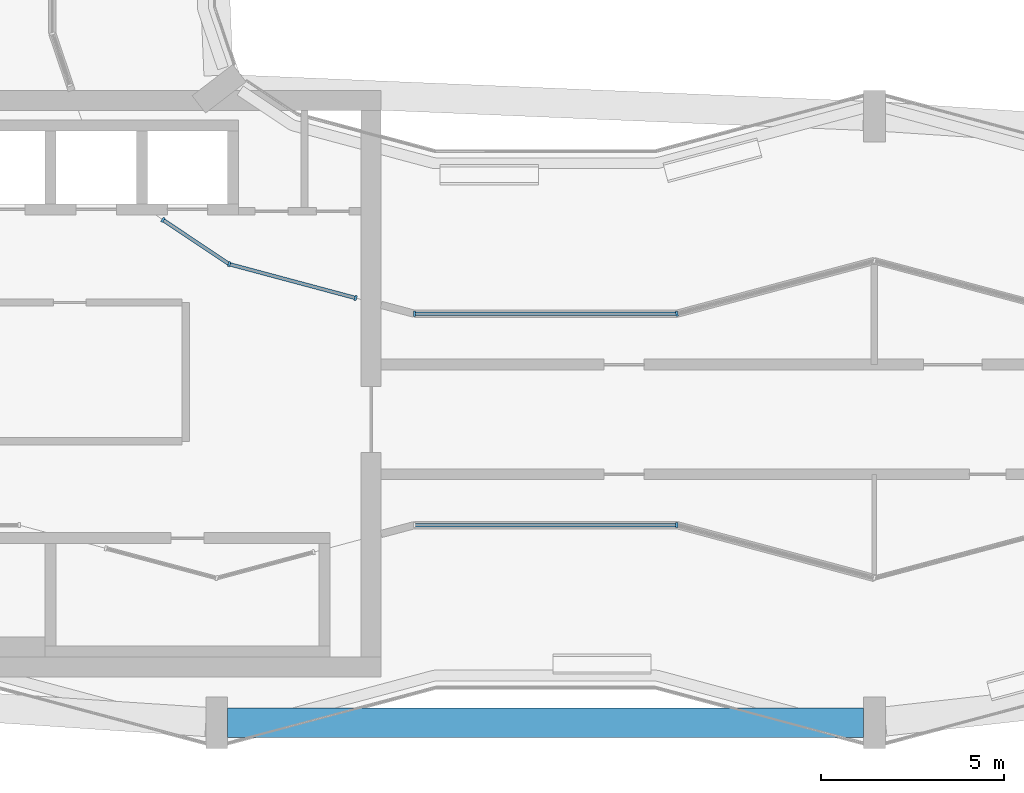
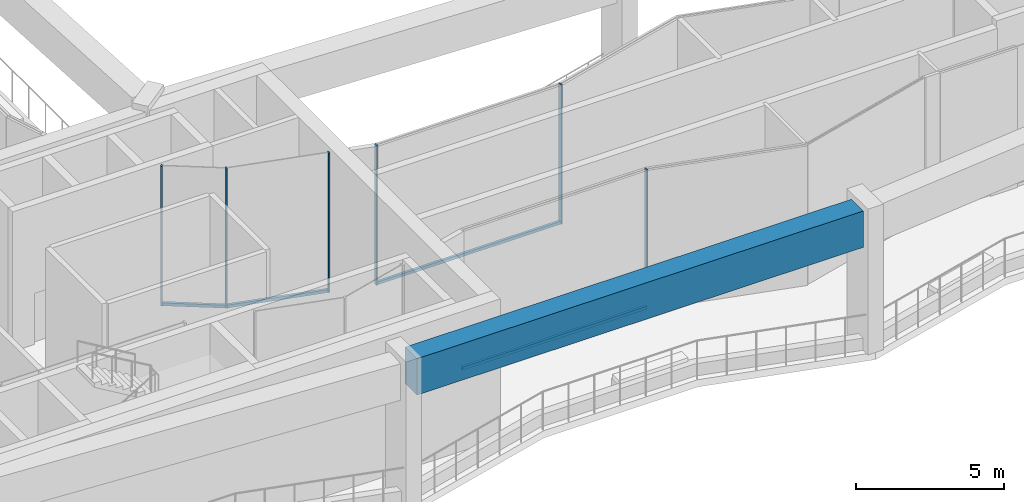
# One storey, part 3 of 17: 10 members, 1 beam, 5 elements without a shape of their own.
"""IFC4 building model written with IfcOpenShell, lengths in metres."""

from ifc_helpers import new_model, si_unit, direction, frame, origin, origin_2d, place, context, subcontext, project, spatial, rectangle, extrude, material, layer, layer_set, material_profile, profile_set, type_object, element, aggregate, save


model = new_model("IFC4")

# Units and contexts
model_context = context("Model", 3, precision=1e-05, world=origin(), true_north=direction((0.0, 1.0)))
body_context = subcontext(model_context, "Body", "Model", "MODEL_VIEW")
ifc_project = project(units=[si_unit("LENGTHUNIT", "METRE"), si_unit("AREAUNIT", "SQUARE_METRE"), si_unit("VOLUMEUNIT", "CUBIC_METRE"), si_unit("PLANEANGLEUNIT", "RADIAN"), si_unit("MASSUNIT", "GRAM", prefix="KILO")], contexts=[model_context])

# Site, building, storey
site_placement = place(None, origin())
site = spatial("IfcSite", under=ifc_project, at=site_placement, CompositionType="ELEMENT")
building_placement = place(site_placement, origin())
building = spatial("IfcBuilding", under=site, at=building_placement, Name="Plateau Cross Towers", CompositionType="ELEMENT")
storey_placement = place(building_placement, frame((0.0, 0.0, 184.89990234375)))
storey = spatial("IfcBuildingStorey", under=building, at=storey_placement, Name="L48", CompositionType="ELEMENT", Elevation=184.89990234375)

# Beam
ifc_material_1 = material(Name="Concrete C60/75", Category="concrete")
ifc_material_profile_1 = material_profile(ifc_material_1, rectangle(XDim=0.800048828125, YDim=1.5, at=origin_2d()), Name="RC 800x1500")
ifc_profile_set_1 = profile_set([ifc_material_profile_1], Name="Concrete C60/75")
beam_type = type_object("IfcBeamType", Name="Belt beam RC 800x1500", PredefinedType="BEAM", material=ifc_profile_set_1)
beam_placement = place(storey_placement, frame((18.300048828125, 0.699951171875, 5.0), z_axis=(1.0, 0.0, 0.0), x_axis=(0.0, 1.0, 0.0)))
element("IfcBeam", 1, at=beam_placement, inside=storey, type_object=beam_type, Name="BELT-L48-01", PredefinedType="BEAM", context=body_context, shape_type="SweptSolid", body=[
    extrude(rectangle(XDim=0.800048828125, YDim=1.5, at=origin_2d()), origin(), (0.0, 0.0, 1.0), 17.39990234375),
])

# Curtain wall, member
ifc_material_2 = material(Name="Dark low-iron glass", Category="glass")
ifc_layer = layer(ifc_material_2, 0.239990234375)
ifc_layer_set = layer_set([ifc_layer], Name="Dark low-iron glass")
curtain_wall_type = type_object("IfcCurtainWallType", Name="Curtain wall flush unitised CW-B", PredefinedType="NOTDEFINED", material=ifc_layer_set)
curtain_wall_1_placement = place(storey_placement, origin())
curtain_wall_1 = element("IfcCurtainWall", 2, at=curtain_wall_1_placement, inside=storey, type_object=curtain_wall_type, Name="ENV/A/L48/inner0_165_145", PredefinedType="NOTDEFINED")
ifc_material_3 = material(Name="Black anodised aluminium", Category="aluminium")
ifc_material_profile_2 = material_profile(ifc_material_3, rectangle(XDim=0.06005859375, YDim=0.139892578125, at=origin_2d()), Name="MULLION 60x140")
ifc_profile_set_2 = profile_set([ifc_material_profile_2], Name="Black anodised aluminium")
member_type_1 = type_object("IfcMemberType", Name="Mullion 60x140 flush unitised", PredefinedType="MULLION", material=ifc_profile_set_2)
member_1_placement = place(storey_placement, frame((16.525390625, 14.46337890625, 0.0), z_axis=(0.0, 0.0, 1.0), x_axis=(0.831521253329, -0.555492938984, 0.0)))
member_1 = element("IfcMember", 3, at=member_1_placement, type_object=member_type_1, Name="CW-B mullion 1", PredefinedType="MULLION", context=body_context, shape_type="SweptSolid", body=[
    extrude(rectangle(XDim=0.06005859375, YDim=0.139892578125, at=origin_2d()), origin(), (0.0, 0.0, 1.0), 5.75),
])

# Curtain wall, members
curtain_wall_2_placement = place(storey_placement, origin())
curtain_wall_2 = element("IfcCurtainWall", 4, at=curtain_wall_2_placement, inside=storey, type_object=curtain_wall_type, Name="ENV/A/L48/inner0_183_132", PredefinedType="NOTDEFINED")
member_2_placement = place(storey_placement, frame((18.342041015625, 13.249755859375, 0.0), z_axis=(0.0, 0.0, 1.0), x_axis=(0.965957995816, -0.258698956933, 0.0)))
member_2 = element("IfcMember", 5, at=member_2_placement, type_object=member_type_1, Name="CW-B mullion 1", PredefinedType="MULLION", context=body_context, shape_type="SweptSolid", body=[
    extrude(rectangle(XDim=0.06005859375, YDim=0.139892578125, at=origin_2d()), origin(), (0.0, 0.0, 1.0), 5.75),
])
member_3_placement = place(storey_placement, frame((21.801025390625, 12.323486328125, 0.0), z_axis=(0.0, 0.0, 1.0), x_axis=(0.965957995816, -0.258698956933, 0.0)))
member_3 = element("IfcMember", 6, at=member_3_placement, type_object=member_type_1, Name="CW-B mullion 2", PredefinedType="MULLION", context=body_context, shape_type="SweptSolid", body=[
    extrude(rectangle(XDim=0.06005859375, YDim=0.139892578125, at=origin_2d()), origin(), (0.0, 0.0, 1.0), 5.75),
])

# Curtain wall, member
curtain_wall_3_placement = place(storey_placement, origin())
curtain_wall_3 = element("IfcCurtainWall", 7, at=curtain_wall_3_placement, inside=storey, type_object=curtain_wall_type, Name="ENV/A/L48/inner0_234_119", PredefinedType="NOTDEFINED")
member_4_placement = place(storey_placement, frame((23.407958984375, 11.89306640625, 0.0), z_axis=(0.0, 0.0, 1.0), x_axis=(1.0, 0.0, 0.0)))
member_4 = element("IfcMember", 8, at=member_4_placement, type_object=member_type_1, Name="CW-B mullion 1", PredefinedType="MULLION", context=body_context, shape_type="SweptSolid", body=[
    extrude(rectangle(XDim=0.06005859375, YDim=0.139892578125, at=origin_2d()), origin(), (0.0, 0.0, 1.0), 5.75),
])

curtain_wall_4_placement = place(storey_placement, origin())
curtain_wall_4 = element("IfcCurtainWall", 9, at=curtain_wall_4_placement, inside=storey, type_object=curtain_wall_type, Name="ENV/A/L48/inner0_306_119", PredefinedType="NOTDEFINED")
member_5_placement = place(storey_placement, frame((30.592041015625, 11.89306640625, 0.0), z_axis=(0.0, 0.0, 1.0), x_axis=(0.965957983404, 0.258699003279, 0.0)))
member_5 = element("IfcMember", 10, at=member_5_placement, type_object=member_type_1, Name="CW-B mullion 1", PredefinedType="MULLION", context=body_context, shape_type="SweptSolid", body=[
    extrude(rectangle(XDim=0.06005859375, YDim=0.139892578125, at=origin_2d()), origin(), (0.0, 0.0, 1.0), 5.75),
])
aggregate(curtain_wall_4, [member_5])

curtain_wall_5_placement = place(storey_placement, origin())
curtain_wall_5 = element("IfcCurtainWall", 11, at=curtain_wall_5_placement, inside=storey, type_object=curtain_wall_type, Name="ENV/A/L48/inner0_306_61", PredefinedType="NOTDEFINED")
member_6_placement = place(storey_placement, frame((30.592041015625, 6.10693359375, 0.0), z_axis=(0.0, 0.0, 1.0), x_axis=(-1.0, 0.0, 0.0)))
member_6 = element("IfcMember", 12, at=member_6_placement, type_object=member_type_1, Name="CW-B mullion 1", PredefinedType="MULLION", context=body_context, shape_type="SweptSolid", body=[
    extrude(rectangle(XDim=0.06005859375, YDim=0.139892578125, at=origin_2d()), origin(), (0.0, 0.0, 1.0), 5.75),
])

# Member
ifc_material_profile_3 = material_profile(ifc_material_3, rectangle(XDim=0.10009765625, YDim=0.1201171875, at=origin_2d()), Name="TRANSOM 100x120")
ifc_profile_set_3 = profile_set([ifc_material_profile_3], Name="Black anodised aluminium")
member_type_2 = type_object("IfcMemberType", Name="Transom 100x120 flush unitised", PredefinedType="USERDEFINED", material=ifc_profile_set_3)
member_7_placement = place(storey_placement, frame((16.525390625, 14.46337890625, 0.06005859375), z_axis=(0.831516958237, -0.555499368284, 0.0), x_axis=(0.555499368284, 0.831516958237, 0.0)))
member_7 = element("IfcMember", 13, at=member_7_placement, type_object=member_type_2, Name="CW-B transom", ObjectType="TRANSOM", PredefinedType="USERDEFINED", context=body_context, shape_type="SweptSolid", body=[
    extrude(rectangle(XDim=0.10009765625, YDim=0.1201171875, at=origin_2d()), origin(), (0.0, 0.0, 1.0), 2.184814453125),
])

aggregate(curtain_wall_1, [member_1, member_7])

member_8_placement = place(storey_placement, frame((18.342041015625, 13.249755859375, 0.06005859375), z_axis=(0.965965089176, -0.258672469532, 0.0), x_axis=(0.258672469532, 0.965965089176, 0.0)))
member_8 = element("IfcMember", 14, at=member_8_placement, type_object=member_type_2, Name="CW-B transom", ObjectType="TRANSOM", PredefinedType="USERDEFINED", context=body_context, shape_type="SweptSolid", body=[
    extrude(rectangle(XDim=0.10009765625, YDim=0.1201171875, at=origin_2d()), origin(), (0.0, 0.0, 1.0), 3.580810546875),
])

aggregate(curtain_wall_2, [member_2, member_3, member_8])

member_9_placement = place(storey_placement, frame((23.407958984375, 11.89306640625, 0.06005859375), z_axis=(1.0, 0.0, 0.0), x_axis=(0.0, 1.0, 0.0)))
member_9 = element("IfcMember", 15, at=member_9_placement, type_object=member_type_2, Name="CW-B transom", ObjectType="TRANSOM", PredefinedType="USERDEFINED", context=body_context, shape_type="SweptSolid", body=[
    extrude(rectangle(XDim=0.10009765625, YDim=0.1201171875, at=origin_2d()), origin(), (0.0, 0.0, 1.0), 7.18408203125),
])

aggregate(curtain_wall_3, [member_4, member_9])

member_10_placement = place(storey_placement, frame((30.592041015625, 6.10693359375, 0.06005859375), z_axis=(-1.0, 0.0, 0.0), x_axis=(0.0, -1.0, 0.0)))
member_10 = element("IfcMember", 16, at=member_10_placement, type_object=member_type_2, Name="CW-B transom", ObjectType="TRANSOM", PredefinedType="USERDEFINED", context=body_context, shape_type="SweptSolid", body=[
    extrude(rectangle(XDim=0.10009765625, YDim=0.1201171875, at=origin_2d()), origin(), (0.0, 0.0, 1.0), 7.18408203125),
])

aggregate(curtain_wall_5, [member_6, member_10])

save(model, "model.ifc")
